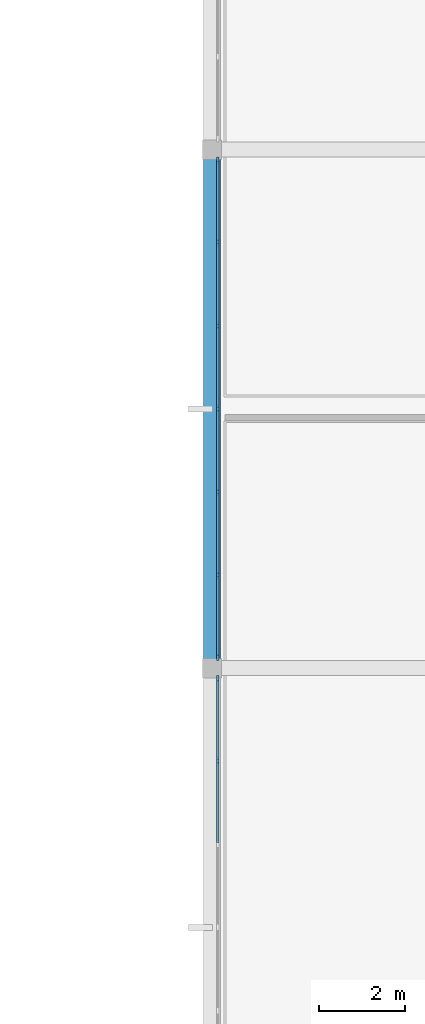
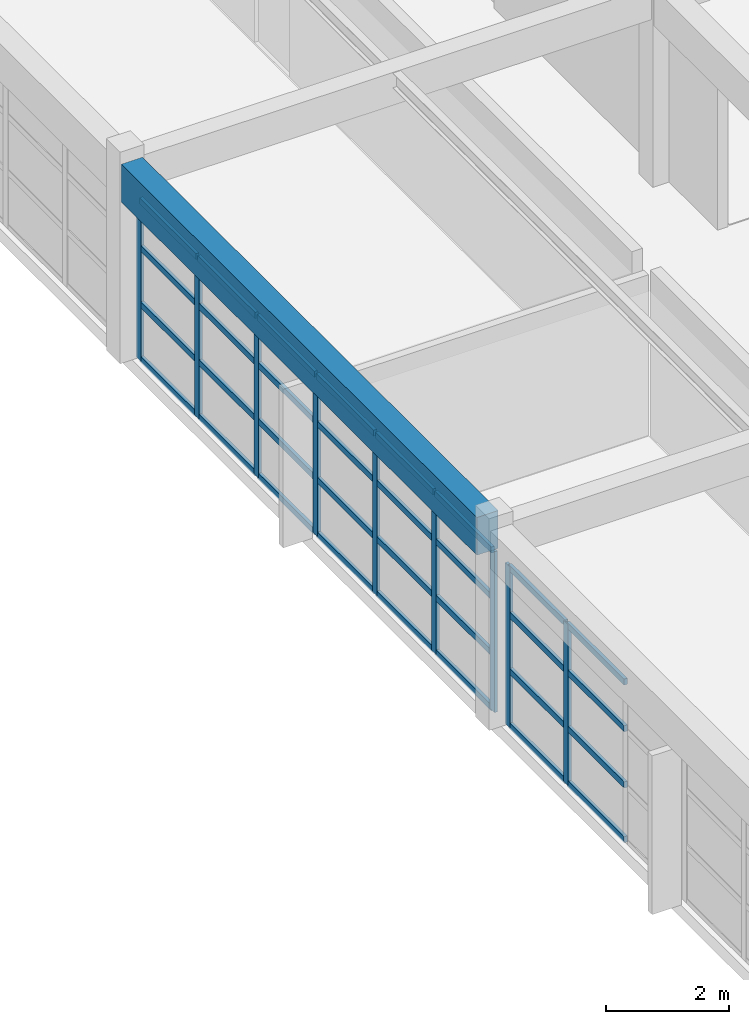
# One storey, part 5 of 21: 41 members, 1 beam, 2 elements without a shape of their own.
"""IFC4 building model written with IfcOpenShell, lengths in metres."""

from ifc_helpers import new_model, si_unit, direction, frame, origin, origin_2d, place, context, subcontext, project, spatial, rectangle, extrude, material, layer, layer_set, material_profile, profile_set, type_object, element, aggregate, save


model = new_model("IFC4")

# Units and contexts
model_context = context("Model", 3, precision=1e-05, world=origin(), true_north=direction((0.0, 1.0)))
body_context = subcontext(model_context, "Body", "Model", "MODEL_VIEW")
ifc_project = project(units=[si_unit("LENGTHUNIT", "METRE"), si_unit("AREAUNIT", "SQUARE_METRE"), si_unit("VOLUMEUNIT", "CUBIC_METRE"), si_unit("PLANEANGLEUNIT", "RADIAN"), si_unit("MASSUNIT", "GRAM", prefix="KILO")], contexts=[model_context])

# Site, building, storey
site_placement = place(None, origin())
site = spatial("IfcSite", under=ifc_project, at=site_placement, CompositionType="ELEMENT")
building_placement = place(site_placement, origin())
building = spatial("IfcBuilding", under=site, at=building_placement, Name="Kivolera Central Railway Station", CompositionType="ELEMENT")
storey_placement = place(building_placement, frame((0.0, 0.0, 22.800048828125)))
storey = spatial("IfcBuildingStorey", under=building, at=storey_placement, Name="L05", CompositionType="ELEMENT", Elevation=22.800048828125)

# Beam
ifc_material_1 = material(Name="Concrete C40/50", Category="concrete")
ifc_material_profile_1 = material_profile(ifc_material_1, rectangle(XDim=0.39990234375, YDim=0.75, at=origin_2d()), Name="RC 400x750")
ifc_profile_set_1 = profile_set([ifc_material_profile_1], Name="Concrete C40/50")
beam_type = type_object("IfcBeamType", Name="BM-RC-400x750", PredefinedType="BEAM", material=ifc_profile_set_1)
beam_placement = place(storey_placement, frame((178.0, 90.217041015625, 3.574951171875), z_axis=(0.0, 1.0, 0.0), x_axis=(-1.0, 0.0, 0.0)))
element("IfcBeam", 1, at=beam_placement, inside=storey, type_object=beam_type, Name="L05 Wing Y-Beam 18:H-J", PredefinedType="BEAM", context=body_context, shape_type="SweptSolid", body=[
    extrude(rectangle(XDim=0.39990234375, YDim=0.75, at=origin_2d()), origin(), (0.0, 0.0, 1.0), 11.56591796875),
])

# Curtain wall, members
ifc_material_2 = material(Name="Anodised aluminium", Category="aluminium")
ifc_layer = layer(ifc_material_2, 0.179931640625, Name="Anodised aluminium")
ifc_layer_set = layer_set([ifc_layer], Name="Anodised aluminium")
curtain_wall_type = type_object("IfcCurtainWallType", Name="CW-SYS-35", PredefinedType="NOTDEFINED", material=ifc_layer_set)
curtain_wall_1_placement = place(storey_placement, origin())
curtain_wall_1 = element("IfcCurtainWall", 2, at=curtain_wall_1_placement, inside=storey, type_object=curtain_wall_type, Name="L05 Curtain Wall CW-L05-CRTE-G", PredefinedType="NOTDEFINED")
ifc_material_profile_2 = material_profile(ifc_material_2, rectangle(XDim=0.06005859375, YDim=0.14990234375, at=origin_2d()), Name="ALU MULL 60x150")
ifc_profile_set_2 = profile_set([ifc_material_profile_2], Name="Anodised aluminium")
member_type_1 = type_object("IfcMemberType", Name="CWM-MUL-2", PredefinedType="MULLION", material=ifc_profile_set_2)
member_1_placement = place(storey_placement, frame((178.135009765625, 87.853271484375, -0.005126953125), z_axis=(0.0, 0.0, 1.0), x_axis=(-1.0, 0.0, 0.0)))
member_1 = element("IfcMember", 3, at=member_1_placement, type_object=member_type_1, Name="CW-35 mullion 6", PredefinedType="MULLION", context=body_context, shape_type="SweptSolid", body=[
    extrude(rectangle(XDim=0.06005859375, YDim=0.14990234375, at=origin_2d()), origin(), (0.0, 0.0, 1.0), 3.193115234375),
])
member_2_placement = place(storey_placement, frame((178.135009765625, 89.75, -0.005126953125), z_axis=(0.0, 0.0, 1.0), x_axis=(-1.0, 0.0, 0.0)))
member_2 = element("IfcMember", 4, at=member_2_placement, type_object=member_type_1, Name="CW-35 mullion 7", PredefinedType="MULLION", context=body_context, shape_type="SweptSolid", body=[
    extrude(rectangle(XDim=0.06005859375, YDim=0.14990234375, at=origin_2d()), origin(), (0.0, 0.0, 1.0), 3.193115234375),
])

curtain_wall_2_placement = place(storey_placement, origin())
curtain_wall_2 = element("IfcCurtainWall", 5, at=curtain_wall_2_placement, inside=storey, type_object=curtain_wall_type, Name="L05 Curtain Wall CW-L05-CRTE-H", PredefinedType="NOTDEFINED")
member_3_placement = place(storey_placement, frame((178.135009765625, 90.25, -0.005126953125), z_axis=(0.0, 0.0, 1.0), x_axis=(-1.0, 0.0, 0.0)))
member_3 = element("IfcMember", 6, at=member_3_placement, type_object=member_type_1, Name="CW-35 mullion 1", PredefinedType="MULLION", context=body_context, shape_type="SweptSolid", body=[
    extrude(rectangle(XDim=0.06005859375, YDim=0.14990234375, at=origin_2d()), origin(), (0.0, 0.0, 1.0), 3.193115234375),
])
member_4_placement = place(storey_placement, frame((178.135009765625, 92.146728515625, -0.005126953125), z_axis=(0.0, 0.0, 1.0), x_axis=(-1.0, 0.0, 0.0)))
member_4 = element("IfcMember", 7, at=member_4_placement, type_object=member_type_1, Name="CW-35 mullion 2", PredefinedType="MULLION", context=body_context, shape_type="SweptSolid", body=[
    extrude(rectangle(XDim=0.06005859375, YDim=0.14990234375, at=origin_2d()), origin(), (0.0, 0.0, 1.0), 3.193115234375),
])
member_5_placement = place(storey_placement, frame((178.135009765625, 94.0732421875, -0.005126953125), z_axis=(0.0, 0.0, 1.0), x_axis=(-1.0, 0.0, 0.0)))
member_5 = element("IfcMember", 8, at=member_5_placement, type_object=member_type_1, Name="CW-35 mullion 3", PredefinedType="MULLION", context=body_context, shape_type="SweptSolid", body=[
    extrude(rectangle(XDim=0.06005859375, YDim=0.14990234375, at=origin_2d()), origin(), (0.0, 0.0, 1.0), 3.193115234375),
])
member_6_placement = place(storey_placement, frame((178.135009765625, 96.0, -0.005126953125), z_axis=(0.0, 0.0, 1.0), x_axis=(-1.0, 0.0, 0.0)))
member_6 = element("IfcMember", 9, at=member_6_placement, type_object=member_type_1, Name="CW-35 mullion 4", PredefinedType="MULLION", context=body_context, shape_type="SweptSolid", body=[
    extrude(rectangle(XDim=0.06005859375, YDim=0.14990234375, at=origin_2d()), origin(), (0.0, 0.0, 1.0), 3.193115234375),
])
member_7_placement = place(storey_placement, frame((178.135009765625, 97.9267578125, -0.005126953125), z_axis=(0.0, 0.0, 1.0), x_axis=(-1.0, 0.0, 0.0)))
member_7 = element("IfcMember", 10, at=member_7_placement, type_object=member_type_1, Name="CW-35 mullion 5", PredefinedType="MULLION", context=body_context, shape_type="SweptSolid", body=[
    extrude(rectangle(XDim=0.06005859375, YDim=0.14990234375, at=origin_2d()), origin(), (0.0, 0.0, 1.0), 3.193115234375),
])
member_8_placement = place(storey_placement, frame((178.135009765625, 99.853271484375, -0.005126953125), z_axis=(0.0, 0.0, 1.0), x_axis=(-1.0, 0.0, 0.0)))
member_8 = element("IfcMember", 11, at=member_8_placement, type_object=member_type_1, Name="CW-35 mullion 6", PredefinedType="MULLION", context=body_context, shape_type="SweptSolid", body=[
    extrude(rectangle(XDim=0.06005859375, YDim=0.14990234375, at=origin_2d()), origin(), (0.0, 0.0, 1.0), 3.193115234375),
])
member_9_placement = place(storey_placement, frame((178.135009765625, 101.75, -0.005126953125), z_axis=(0.0, 0.0, 1.0), x_axis=(-1.0, 0.0, 0.0)))
member_9 = element("IfcMember", 12, at=member_9_placement, type_object=member_type_1, Name="CW-35 mullion 7", PredefinedType="MULLION", context=body_context, shape_type="SweptSolid", body=[
    extrude(rectangle(XDim=0.06005859375, YDim=0.14990234375, at=origin_2d()), origin(), (0.0, 0.0, 1.0), 3.193115234375),
])

# Member
ifc_material_profile_3 = material_profile(ifc_material_2, rectangle(XDim=0.06005859375, YDim=0.1201171875, at=origin_2d()), Name="ALU TRAN 60x120")
ifc_profile_set_3 = profile_set([ifc_material_profile_3], Name="Anodised aluminium")
member_type_2 = type_object("IfcMemberType", Name="CWM-TRN-2", PredefinedType="USERDEFINED", material=ifc_profile_set_3)
member_10_placement = place(storey_placement, frame((178.135009765625, 85.956787109375, 0.030029296875), z_axis=(0.0, 1.0, 0.0), x_axis=(-1.0, 0.0, 0.0)))
member_10 = element("IfcMember", 13, at=member_10_placement, type_object=member_type_2, Name="CW-35 transom 5.1", ObjectType="TRANSOM", PredefinedType="USERDEFINED", context=body_context, shape_type="SweptSolid", body=[
    extrude(rectangle(XDim=0.06005859375, YDim=0.1201171875, at=origin_2d()), origin(), (0.0, 0.0, 1.0), 1.866455078125),
])

member_11_placement = place(storey_placement, frame((178.135009765625, 85.956787109375, 1.11572265625), z_axis=(0.0, 1.0, 0.0), x_axis=(-1.0, 0.0, 0.0)))
member_11 = element("IfcMember", 14, at=member_11_placement, type_object=member_type_2, Name="CW-35 transom 5.2", ObjectType="TRANSOM", PredefinedType="USERDEFINED", context=body_context, shape_type="SweptSolid", body=[
    extrude(rectangle(XDim=0.06005859375, YDim=0.1201171875, at=origin_2d()), origin(), (0.0, 0.0, 1.0), 1.866455078125),
])

member_12_placement = place(storey_placement, frame((178.135009765625, 85.956787109375, 2.2314453125), z_axis=(0.0, 1.0, 0.0), x_axis=(-1.0, 0.0, 0.0)))
member_12 = element("IfcMember", 15, at=member_12_placement, type_object=member_type_2, Name="CW-35 transom 5.3", ObjectType="TRANSOM", PredefinedType="USERDEFINED", context=body_context, shape_type="SweptSolid", body=[
    extrude(rectangle(XDim=0.06005859375, YDim=0.1201171875, at=origin_2d()), origin(), (0.0, 0.0, 1.0), 1.866455078125),
])

member_13_placement = place(storey_placement, frame((178.135009765625, 85.956787109375, 3.157958984375), z_axis=(0.0, 1.0, 0.0), x_axis=(-1.0, 0.0, 0.0)))
member_13 = element("IfcMember", 16, at=member_13_placement, type_object=member_type_2, Name="CW-35 transom 5.4", ObjectType="TRANSOM", PredefinedType="USERDEFINED", context=body_context, shape_type="SweptSolid", body=[
    extrude(rectangle(XDim=0.06005859375, YDim=0.1201171875, at=origin_2d()), origin(), (0.0, 0.0, 1.0), 1.866455078125),
])

member_14_placement = place(storey_placement, frame((178.135009765625, 87.88330078125, 0.030029296875), z_axis=(0.0, 1.0, 0.0), x_axis=(-1.0, 0.0, 0.0)))
member_14 = element("IfcMember", 17, at=member_14_placement, type_object=member_type_2, Name="CW-35 transom 6.1", ObjectType="TRANSOM", PredefinedType="USERDEFINED", context=body_context, shape_type="SweptSolid", body=[
    extrude(rectangle(XDim=0.06005859375, YDim=0.1201171875, at=origin_2d()), origin(), (0.0, 0.0, 1.0), 1.836669921875),
])

member_15_placement = place(storey_placement, frame((178.135009765625, 87.88330078125, 1.11572265625), z_axis=(0.0, 1.0, 0.0), x_axis=(-1.0, 0.0, 0.0)))
member_15 = element("IfcMember", 18, at=member_15_placement, type_object=member_type_2, Name="CW-35 transom 6.2", ObjectType="TRANSOM", PredefinedType="USERDEFINED", context=body_context, shape_type="SweptSolid", body=[
    extrude(rectangle(XDim=0.06005859375, YDim=0.1201171875, at=origin_2d()), origin(), (0.0, 0.0, 1.0), 1.836669921875),
])

member_16_placement = place(storey_placement, frame((178.135009765625, 87.88330078125, 2.2314453125), z_axis=(0.0, 1.0, 0.0), x_axis=(-1.0, 0.0, 0.0)))
member_16 = element("IfcMember", 19, at=member_16_placement, type_object=member_type_2, Name="CW-35 transom 6.3", ObjectType="TRANSOM", PredefinedType="USERDEFINED", context=body_context, shape_type="SweptSolid", body=[
    extrude(rectangle(XDim=0.06005859375, YDim=0.1201171875, at=origin_2d()), origin(), (0.0, 0.0, 1.0), 1.836669921875),
])

member_17_placement = place(storey_placement, frame((178.135009765625, 87.88330078125, 3.157958984375), z_axis=(0.0, 1.0, 0.0), x_axis=(-1.0, 0.0, 0.0)))
member_17 = element("IfcMember", 20, at=member_17_placement, type_object=member_type_2, Name="CW-35 transom 6.4", ObjectType="TRANSOM", PredefinedType="USERDEFINED", context=body_context, shape_type="SweptSolid", body=[
    extrude(rectangle(XDim=0.06005859375, YDim=0.1201171875, at=origin_2d()), origin(), (0.0, 0.0, 1.0), 1.836669921875),
])

aggregate(curtain_wall_1, [member_1, member_2, member_10, member_11, member_12, member_13, member_14, member_15, member_16, member_17])

member_18_placement = place(storey_placement, frame((178.135009765625, 90.280029296875, 0.030029296875), z_axis=(0.0, 1.0, 0.0), x_axis=(-1.0, 0.0, 0.0)))
member_18 = element("IfcMember", 21, at=member_18_placement, type_object=member_type_2, Name="CW-35 transom 1.1", ObjectType="TRANSOM", PredefinedType="USERDEFINED", context=body_context, shape_type="SweptSolid", body=[
    extrude(rectangle(XDim=0.06005859375, YDim=0.1201171875, at=origin_2d()), origin(), (0.0, 0.0, 1.0), 1.836669921875),
])

member_19_placement = place(storey_placement, frame((178.135009765625, 90.280029296875, 1.11572265625), z_axis=(0.0, 1.0, 0.0), x_axis=(-1.0, 0.0, 0.0)))
member_19 = element("IfcMember", 22, at=member_19_placement, type_object=member_type_2, Name="CW-35 transom 1.2", ObjectType="TRANSOM", PredefinedType="USERDEFINED", context=body_context, shape_type="SweptSolid", body=[
    extrude(rectangle(XDim=0.06005859375, YDim=0.1201171875, at=origin_2d()), origin(), (0.0, 0.0, 1.0), 1.836669921875),
])

member_20_placement = place(storey_placement, frame((178.135009765625, 90.280029296875, 2.2314453125), z_axis=(0.0, 1.0, 0.0), x_axis=(-1.0, 0.0, 0.0)))
member_20 = element("IfcMember", 23, at=member_20_placement, type_object=member_type_2, Name="CW-35 transom 1.3", ObjectType="TRANSOM", PredefinedType="USERDEFINED", context=body_context, shape_type="SweptSolid", body=[
    extrude(rectangle(XDim=0.06005859375, YDim=0.1201171875, at=origin_2d()), origin(), (0.0, 0.0, 1.0), 1.836669921875),
])

member_21_placement = place(storey_placement, frame((178.135009765625, 90.280029296875, 3.157958984375), z_axis=(0.0, 1.0, 0.0), x_axis=(-1.0, 0.0, 0.0)))
member_21 = element("IfcMember", 24, at=member_21_placement, type_object=member_type_2, Name="CW-35 transom 1.4", ObjectType="TRANSOM", PredefinedType="USERDEFINED", context=body_context, shape_type="SweptSolid", body=[
    extrude(rectangle(XDim=0.06005859375, YDim=0.1201171875, at=origin_2d()), origin(), (0.0, 0.0, 1.0), 1.836669921875),
])

member_22_placement = place(storey_placement, frame((178.135009765625, 92.1767578125, 0.030029296875), z_axis=(0.0, 1.0, 0.0), x_axis=(-1.0, 0.0, 0.0)))
member_22 = element("IfcMember", 25, at=member_22_placement, type_object=member_type_2, Name="CW-35 transom 2.1", ObjectType="TRANSOM", PredefinedType="USERDEFINED", context=body_context, shape_type="SweptSolid", body=[
    extrude(rectangle(XDim=0.06005859375, YDim=0.1201171875, at=origin_2d()), origin(), (0.0, 0.0, 1.0), 1.866455078125),
])

member_23_placement = place(storey_placement, frame((178.135009765625, 92.1767578125, 1.11572265625), z_axis=(0.0, 1.0, 0.0), x_axis=(-1.0, 0.0, 0.0)))
member_23 = element("IfcMember", 26, at=member_23_placement, type_object=member_type_2, Name="CW-35 transom 2.2", ObjectType="TRANSOM", PredefinedType="USERDEFINED", context=body_context, shape_type="SweptSolid", body=[
    extrude(rectangle(XDim=0.06005859375, YDim=0.1201171875, at=origin_2d()), origin(), (0.0, 0.0, 1.0), 1.866455078125),
])

member_24_placement = place(storey_placement, frame((178.135009765625, 92.1767578125, 2.2314453125), z_axis=(0.0, 1.0, 0.0), x_axis=(-1.0, 0.0, 0.0)))
member_24 = element("IfcMember", 27, at=member_24_placement, type_object=member_type_2, Name="CW-35 transom 2.3", ObjectType="TRANSOM", PredefinedType="USERDEFINED", context=body_context, shape_type="SweptSolid", body=[
    extrude(rectangle(XDim=0.06005859375, YDim=0.1201171875, at=origin_2d()), origin(), (0.0, 0.0, 1.0), 1.866455078125),
])

member_25_placement = place(storey_placement, frame((178.135009765625, 92.1767578125, 3.157958984375), z_axis=(0.0, 1.0, 0.0), x_axis=(-1.0, 0.0, 0.0)))
member_25 = element("IfcMember", 28, at=member_25_placement, type_object=member_type_2, Name="CW-35 transom 2.4", ObjectType="TRANSOM", PredefinedType="USERDEFINED", context=body_context, shape_type="SweptSolid", body=[
    extrude(rectangle(XDim=0.06005859375, YDim=0.1201171875, at=origin_2d()), origin(), (0.0, 0.0, 1.0), 1.866455078125),
])

member_26_placement = place(storey_placement, frame((178.135009765625, 94.103271484375, 0.030029296875), z_axis=(0.0, 1.0, 0.0), x_axis=(-1.0, 0.0, 0.0)))
member_26 = element("IfcMember", 29, at=member_26_placement, type_object=member_type_2, Name="CW-35 transom 3.1", ObjectType="TRANSOM", PredefinedType="USERDEFINED", context=body_context, shape_type="SweptSolid", body=[
    extrude(rectangle(XDim=0.06005859375, YDim=0.1201171875, at=origin_2d()), origin(), (0.0, 0.0, 1.0), 1.86669921875),
])

member_27_placement = place(storey_placement, frame((178.135009765625, 94.103271484375, 1.11572265625), z_axis=(0.0, 1.0, 0.0), x_axis=(-1.0, 0.0, 0.0)))
member_27 = element("IfcMember", 30, at=member_27_placement, type_object=member_type_2, Name="CW-35 transom 3.2", ObjectType="TRANSOM", PredefinedType="USERDEFINED", context=body_context, shape_type="SweptSolid", body=[
    extrude(rectangle(XDim=0.06005859375, YDim=0.1201171875, at=origin_2d()), origin(), (0.0, 0.0, 1.0), 1.86669921875),
])

member_28_placement = place(storey_placement, frame((178.135009765625, 94.103271484375, 2.2314453125), z_axis=(0.0, 1.0, 0.0), x_axis=(-1.0, 0.0, 0.0)))
member_28 = element("IfcMember", 31, at=member_28_placement, type_object=member_type_2, Name="CW-35 transom 3.3", ObjectType="TRANSOM", PredefinedType="USERDEFINED", context=body_context, shape_type="SweptSolid", body=[
    extrude(rectangle(XDim=0.06005859375, YDim=0.1201171875, at=origin_2d()), origin(), (0.0, 0.0, 1.0), 1.86669921875),
])

member_29_placement = place(storey_placement, frame((178.135009765625, 94.103271484375, 3.157958984375), z_axis=(0.0, 1.0, 0.0), x_axis=(-1.0, 0.0, 0.0)))
member_29 = element("IfcMember", 32, at=member_29_placement, type_object=member_type_2, Name="CW-35 transom 3.4", ObjectType="TRANSOM", PredefinedType="USERDEFINED", context=body_context, shape_type="SweptSolid", body=[
    extrude(rectangle(XDim=0.06005859375, YDim=0.1201171875, at=origin_2d()), origin(), (0.0, 0.0, 1.0), 1.86669921875),
])

member_30_placement = place(storey_placement, frame((178.135009765625, 96.030029296875, 0.030029296875), z_axis=(0.0, 1.0, 0.0), x_axis=(-1.0, 0.0, 0.0)))
member_30 = element("IfcMember", 33, at=member_30_placement, type_object=member_type_2, Name="CW-35 transom 4.1", ObjectType="TRANSOM", PredefinedType="USERDEFINED", context=body_context, shape_type="SweptSolid", body=[
    extrude(rectangle(XDim=0.06005859375, YDim=0.1201171875, at=origin_2d()), origin(), (0.0, 0.0, 1.0), 1.86669921875),
])

member_31_placement = place(storey_placement, frame((178.135009765625, 96.030029296875, 1.11572265625), z_axis=(0.0, 1.0, 0.0), x_axis=(-1.0, 0.0, 0.0)))
member_31 = element("IfcMember", 34, at=member_31_placement, type_object=member_type_2, Name="CW-35 transom 4.2", ObjectType="TRANSOM", PredefinedType="USERDEFINED", context=body_context, shape_type="SweptSolid", body=[
    extrude(rectangle(XDim=0.06005859375, YDim=0.1201171875, at=origin_2d()), origin(), (0.0, 0.0, 1.0), 1.86669921875),
])

member_32_placement = place(storey_placement, frame((178.135009765625, 96.030029296875, 2.2314453125), z_axis=(0.0, 1.0, 0.0), x_axis=(-1.0, 0.0, 0.0)))
member_32 = element("IfcMember", 35, at=member_32_placement, type_object=member_type_2, Name="CW-35 transom 4.3", ObjectType="TRANSOM", PredefinedType="USERDEFINED", context=body_context, shape_type="SweptSolid", body=[
    extrude(rectangle(XDim=0.06005859375, YDim=0.1201171875, at=origin_2d()), origin(), (0.0, 0.0, 1.0), 1.86669921875),
])

member_33_placement = place(storey_placement, frame((178.135009765625, 96.030029296875, 3.157958984375), z_axis=(0.0, 1.0, 0.0), x_axis=(-1.0, 0.0, 0.0)))
member_33 = element("IfcMember", 36, at=member_33_placement, type_object=member_type_2, Name="CW-35 transom 4.4", ObjectType="TRANSOM", PredefinedType="USERDEFINED", context=body_context, shape_type="SweptSolid", body=[
    extrude(rectangle(XDim=0.06005859375, YDim=0.1201171875, at=origin_2d()), origin(), (0.0, 0.0, 1.0), 1.86669921875),
])

member_34_placement = place(storey_placement, frame((178.135009765625, 97.956787109375, 0.030029296875), z_axis=(0.0, 1.0, 0.0), x_axis=(-1.0, 0.0, 0.0)))
member_34 = element("IfcMember", 37, at=member_34_placement, type_object=member_type_2, Name="CW-35 transom 5.1", ObjectType="TRANSOM", PredefinedType="USERDEFINED", context=body_context, shape_type="SweptSolid", body=[
    extrude(rectangle(XDim=0.06005859375, YDim=0.1201171875, at=origin_2d()), origin(), (0.0, 0.0, 1.0), 1.866455078125),
])

member_35_placement = place(storey_placement, frame((178.135009765625, 97.956787109375, 1.11572265625), z_axis=(0.0, 1.0, 0.0), x_axis=(-1.0, 0.0, 0.0)))
member_35 = element("IfcMember", 38, at=member_35_placement, type_object=member_type_2, Name="CW-35 transom 5.2", ObjectType="TRANSOM", PredefinedType="USERDEFINED", context=body_context, shape_type="SweptSolid", body=[
    extrude(rectangle(XDim=0.06005859375, YDim=0.1201171875, at=origin_2d()), origin(), (0.0, 0.0, 1.0), 1.866455078125),
])

member_36_placement = place(storey_placement, frame((178.135009765625, 97.956787109375, 2.2314453125), z_axis=(0.0, 1.0, 0.0), x_axis=(-1.0, 0.0, 0.0)))
member_36 = element("IfcMember", 39, at=member_36_placement, type_object=member_type_2, Name="CW-35 transom 5.3", ObjectType="TRANSOM", PredefinedType="USERDEFINED", context=body_context, shape_type="SweptSolid", body=[
    extrude(rectangle(XDim=0.06005859375, YDim=0.1201171875, at=origin_2d()), origin(), (0.0, 0.0, 1.0), 1.866455078125),
])

member_37_placement = place(storey_placement, frame((178.135009765625, 97.956787109375, 3.157958984375), z_axis=(0.0, 1.0, 0.0), x_axis=(-1.0, 0.0, 0.0)))
member_37 = element("IfcMember", 40, at=member_37_placement, type_object=member_type_2, Name="CW-35 transom 5.4", ObjectType="TRANSOM", PredefinedType="USERDEFINED", context=body_context, shape_type="SweptSolid", body=[
    extrude(rectangle(XDim=0.06005859375, YDim=0.1201171875, at=origin_2d()), origin(), (0.0, 0.0, 1.0), 1.866455078125),
])

member_38_placement = place(storey_placement, frame((178.135009765625, 99.88330078125, 0.030029296875), z_axis=(0.0, 1.0, 0.0), x_axis=(-1.0, 0.0, 0.0)))
member_38 = element("IfcMember", 41, at=member_38_placement, type_object=member_type_2, Name="CW-35 transom 6.1", ObjectType="TRANSOM", PredefinedType="USERDEFINED", context=body_context, shape_type="SweptSolid", body=[
    extrude(rectangle(XDim=0.06005859375, YDim=0.1201171875, at=origin_2d()), origin(), (0.0, 0.0, 1.0), 1.836669921875),
])

member_39_placement = place(storey_placement, frame((178.135009765625, 99.88330078125, 1.11572265625), z_axis=(0.0, 1.0, 0.0), x_axis=(-1.0, 0.0, 0.0)))
member_39 = element("IfcMember", 42, at=member_39_placement, type_object=member_type_2, Name="CW-35 transom 6.2", ObjectType="TRANSOM", PredefinedType="USERDEFINED", context=body_context, shape_type="SweptSolid", body=[
    extrude(rectangle(XDim=0.06005859375, YDim=0.1201171875, at=origin_2d()), origin(), (0.0, 0.0, 1.0), 1.836669921875),
])

member_40_placement = place(storey_placement, frame((178.135009765625, 99.88330078125, 2.2314453125), z_axis=(0.0, 1.0, 0.0), x_axis=(-1.0, 0.0, 0.0)))
member_40 = element("IfcMember", 43, at=member_40_placement, type_object=member_type_2, Name="CW-35 transom 6.3", ObjectType="TRANSOM", PredefinedType="USERDEFINED", context=body_context, shape_type="SweptSolid", body=[
    extrude(rectangle(XDim=0.06005859375, YDim=0.1201171875, at=origin_2d()), origin(), (0.0, 0.0, 1.0), 1.836669921875),
])

member_41_placement = place(storey_placement, frame((178.135009765625, 99.88330078125, 3.157958984375), z_axis=(0.0, 1.0, 0.0), x_axis=(-1.0, 0.0, 0.0)))
member_41 = element("IfcMember", 44, at=member_41_placement, type_object=member_type_2, Name="CW-35 transom 6.4", ObjectType="TRANSOM", PredefinedType="USERDEFINED", context=body_context, shape_type="SweptSolid", body=[
    extrude(rectangle(XDim=0.06005859375, YDim=0.1201171875, at=origin_2d()), origin(), (0.0, 0.0, 1.0), 1.836669921875),
])

aggregate(curtain_wall_2, [member_3, member_4, member_5, member_6, member_7, member_8, member_9, member_18, member_19, member_20, member_21, member_22, member_23, member_24, member_25, member_26, member_27, member_28, member_29, member_30, member_31, member_32, member_33, member_34, member_35, member_36, member_37, member_38, member_39, member_40, member_41])

save(model, "model.ifc")
